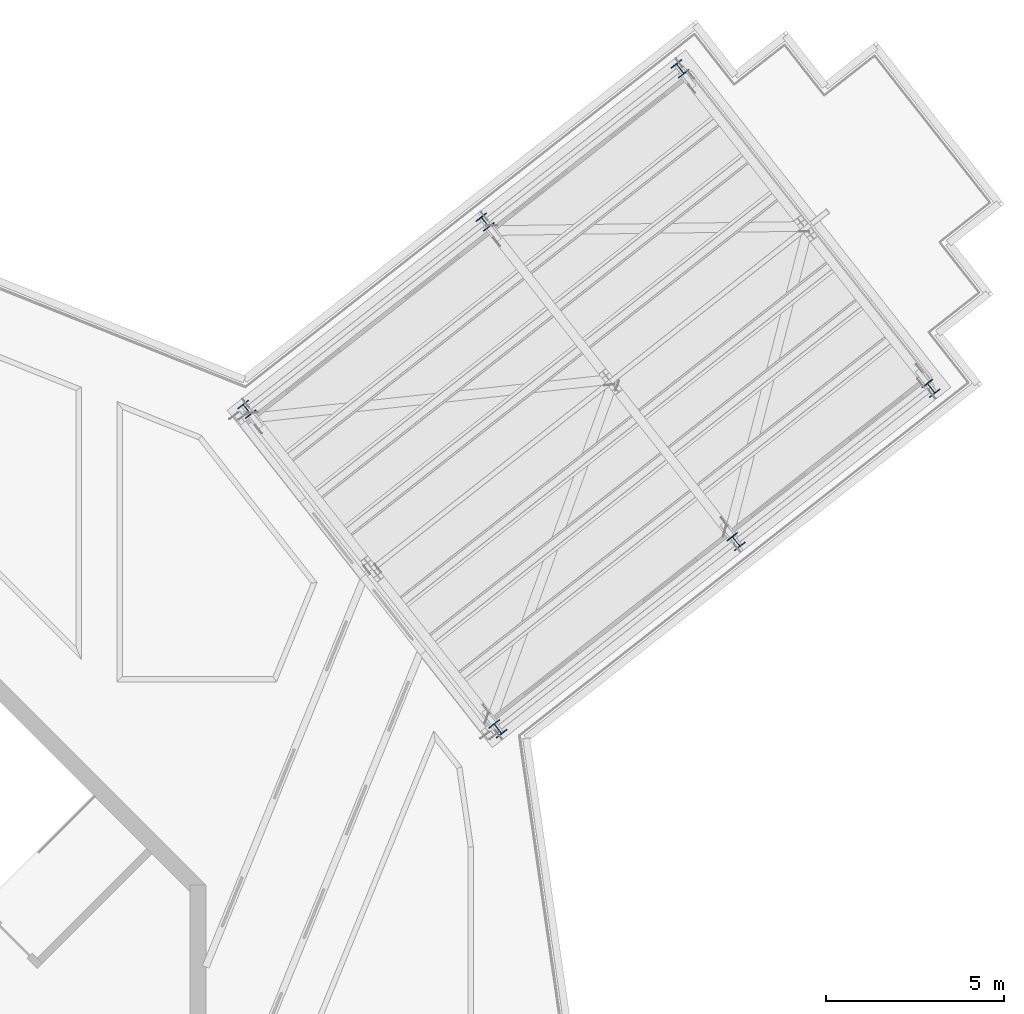
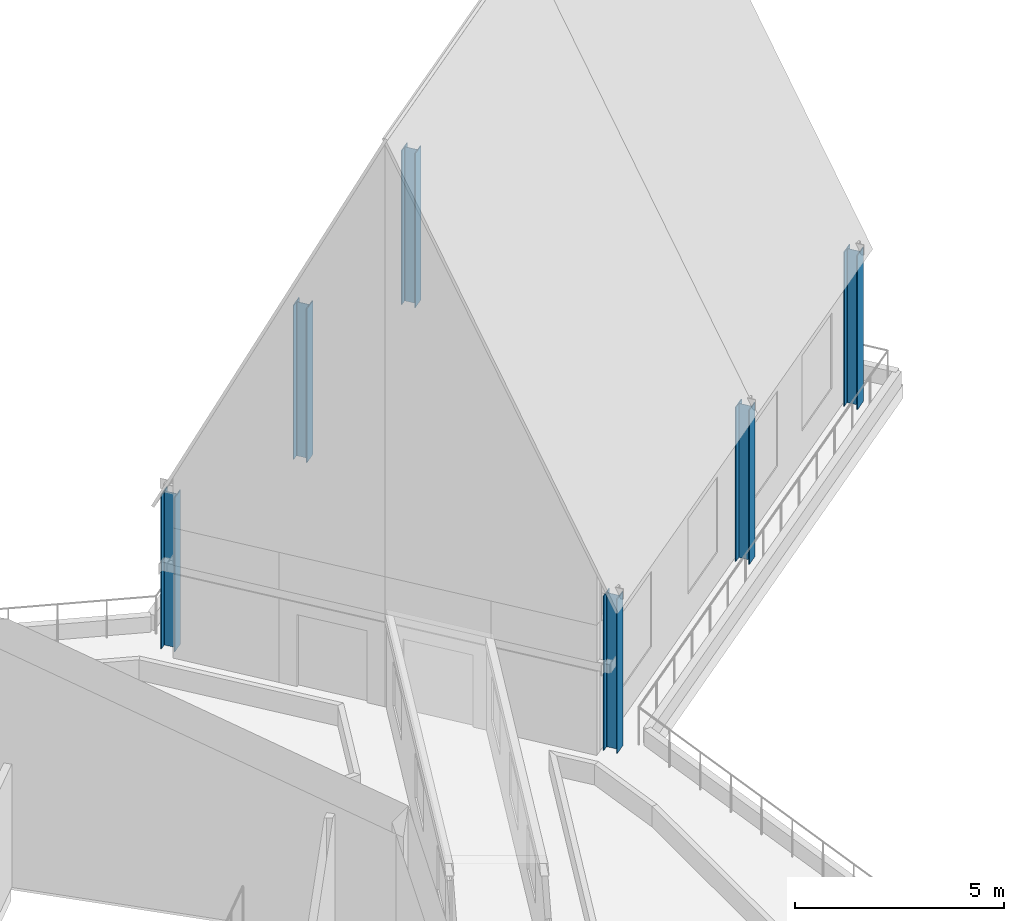
# One storey, part 3 of 32: 6 columns.
"""IFC4 building model written with IfcOpenShell, lengths in metres."""

from ifc_helpers import new_model, si_unit, direction, frame, origin, origin_2d, place, context, subcontext, project, spatial, i_section, extrude, material, material_profile, profile_set, type_object, element, save


model = new_model("IFC4")

# Units and contexts
model_context = context("Model", 3, precision=1e-05, world=origin(), true_north=direction((0.0, 1.0)))
body_context = subcontext(model_context, "Body", "Model", "MODEL_VIEW")
ifc_project = project(units=[si_unit("LENGTHUNIT", "METRE"), si_unit("AREAUNIT", "SQUARE_METRE"), si_unit("VOLUMEUNIT", "CUBIC_METRE"), si_unit("PLANEANGLEUNIT", "RADIAN"), si_unit("MASSUNIT", "GRAM", prefix="KILO")], contexts=[model_context])

# Site, building, storey
site_placement = place(None, origin())
site = spatial("IfcSite", under=ifc_project, at=site_placement, CompositionType="ELEMENT")
building_placement = place(site_placement, origin())
building = spatial("IfcBuilding", under=site, at=building_placement, Name="Verdalira Terraces Hotel", CompositionType="ELEMENT")
storey_placement = place(building_placement, frame((0.0, 0.0, 315.0)))
storey = spatial("IfcBuildingStorey", under=building, at=storey_placement, Name="L78", CompositionType="ELEMENT", Elevation=315.0)

# Columns
ifc_material = material(Name="Steel ASTM A992 Grade 50", Category="steel")
ifc_material_profile = material_profile(ifc_material, i_section(OverallWidth=0.373291, OverallDepth=0.368408, WebThickness=0.014893, FlangeThickness=0.023926, FilletRadius=0.015137, at=origin_2d()), Name="W14X120")
ifc_profile_set = profile_set([ifc_material_profile], Name="Steel ASTM A992 Grade 50")
column_type = type_object("IfcColumnType", Name="Gable frame column W14X120", PredefinedType="COLUMN", material=ifc_profile_set)
for number, where, z_axis, x_axis, name in (
    (1, (15.144043, 19.149414, 0.0), (0.0, 0.0, 1.0), (0.786288432, 0.617859613, 0.0), "Gable frame column G3-1a"),
    (2, (22.187744, 10.185791, 0.0), (0.0, 0.0, 1.0), (0.786288432, 0.617859613, 0.0), "Gable frame column G3-1b"),
    (3, (21.82959, 24.402588, 0.0), (0.0, 0.0, 1.0), (0.786288432, 0.617859613, 0.0), "Gable frame column G3-2a"),
    (4, (28.873047, 15.438965, 0.0), (0.0, 0.0, 1.0), (0.786288432, 0.617859613, 0.0), "Gable frame column G3-2b"),
    (5, (27.300781, 28.701904, 0.0), (0.0, 0.0, 1.0), (0.786288432, 0.617859613, 0.0), "Gable frame column G3-3a"),
    (6, (34.344238, 19.738281, 0.0), (0.0, 0.0, 1.0), (0.786288432, 0.617859613, 0.0), "Gable frame column G3-3b"),
):
    element("IfcColumn", number, at=place(storey_placement, frame(where, z_axis=z_axis, x_axis=x_axis)), inside=storey, type_object=column_type, Name=name, PredefinedType="COLUMN", context=body_context, shape_type="SweptSolid", body=[
        extrude(i_section(OverallWidth=0.373291, OverallDepth=0.368408, WebThickness=0.014893, FlangeThickness=0.023926, FilletRadius=0.015137, at=origin_2d()), origin(), (0.0, 0.0, 1.0), 4.5),
    ])

save(model, "model.ifc")
